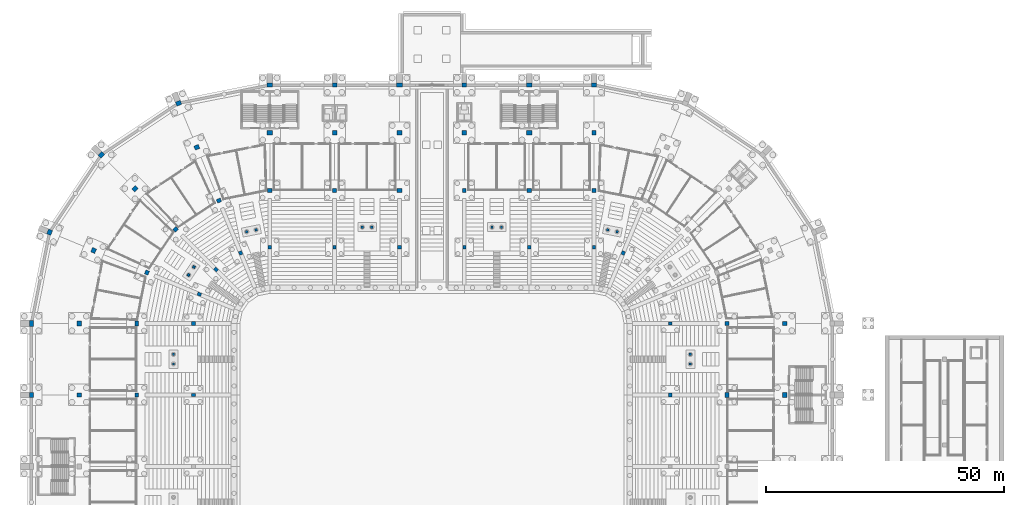
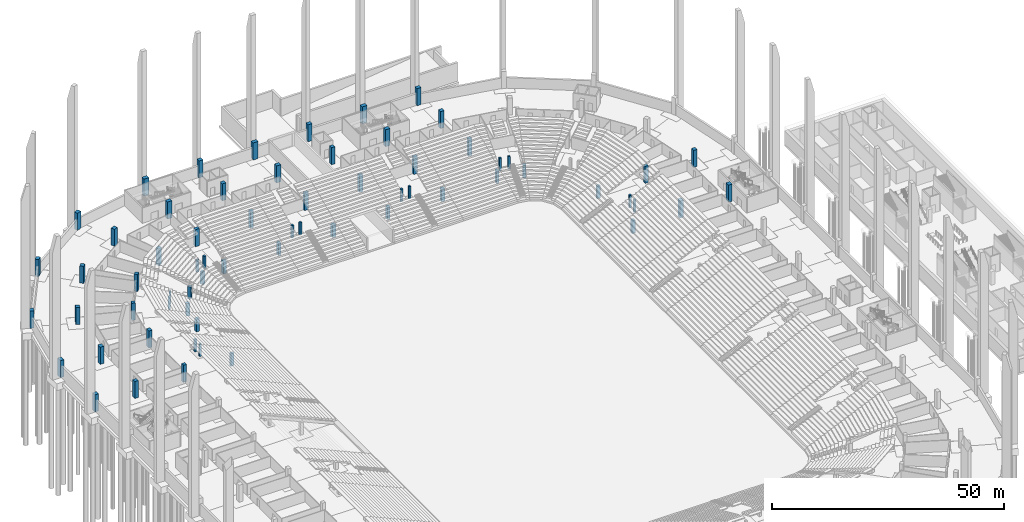
# One storey, part 12 of 115: 65 columns.
"""IFC4 building model written with IfcOpenShell, lengths in metres."""

import ifcopenshell
import ifcopenshell.guid

model = None  # the IFC model being written
_history = None  # IfcOwnerHistory: only IFC2X3 demands one
_inside = {}  # id of a spatial element -> (the spatial element, [elements in it])
_under = {}  # id of a project, library or spatial element -> (it, [spatial elements below it])
_declared = {}  # id of a project -> (the project, [libraries it declares])
_typed = {}  # id of a type object -> (the type object, [elements of that type])
_made_of = {}  # id of a material, layer set ... -> (it, [elements and type objects made of it])


def new_model(schema):
    """Start an empty IFC model of exactly this schema.

    Asked for "IFC4X3", IfcOpenShell would pick the latest addendum, in which some entities
    have other attributes; the version numbers below select the first issue.
    IFC2X3 requires an IfcOwnerHistory on every rooted entity: one is made here for all.
    """
    global model, _history
    if schema == "IFC4X3":
        model = ifcopenshell.file(schema_version=(4, 3, 0, 0))
    else:
        model = ifcopenshell.file(schema=schema)
    _inside.clear()
    _under.clear()
    _declared.clear()
    _typed.clear()
    _made_of.clear()
    _history = None
    if model.schema == "IFC2X3":
        org = make("IfcOrganization", Name="unknown")
        user = make(
            "IfcPersonAndOrganization",
            ThePerson=make("IfcPerson", FamilyName="unknown"),
            TheOrganization=org,
        )
        app = make(
            "IfcApplication",
            ApplicationDeveloper=org,
            Version="unknown",
            ApplicationFullName="unknown",
            ApplicationIdentifier="unknown",
        )
        _history = make(
            "IfcOwnerHistory",
            OwningUser=user,
            OwningApplication=app,
            ChangeAction="ADDED",
            CreationDate=0,
        )
    return model


def make(cls, **values):
    """One entity of the class cls with the attributes given. An attribute that is None is left unset."""
    return model.create_entity(
        cls, **{name: value for name, value in values.items() if value is not None}
    )


def rooted(cls, **values):
    """An entity with a GlobalId (a new one), such as an element, a storey or a relation."""
    return make(cls, GlobalId=ifcopenshell.guid.new(), OwnerHistory=_history, **values)


def si_unit(unit_type, name, prefix=None):
    """IfcSIUnit, for example si_unit("LENGTHUNIT", "METRE", prefix="MILLI")."""
    return make("IfcSIUnit", UnitType=unit_type, Prefix=prefix, Name=name)


def assignment(units):
    """IfcUnitAssignment: the units of a project."""
    return None if units is None else make("IfcUnitAssignment", Units=units)


def point(xyz):
    """IfcCartesianPoint."""
    return None if xyz is None else make("IfcCartesianPoint", Coordinates=xyz)


def direction(xyz):
    """IfcDirection."""
    return None if xyz is None else make("IfcDirection", DirectionRatios=xyz)


def frame(location, z_axis=None, x_axis=None):
    """IfcAxis2Placement3D, a coordinate frame: its origin and axes. An axis left out is left unset."""
    return make(
        "IfcAxis2Placement3D",
        Location=point(location),
        Axis=direction(z_axis),
        RefDirection=direction(x_axis),
    )


def frame_2d(location, x_axis=None):
    """IfcAxis2Placement2D, a coordinate frame in the plane: its origin and x axis."""
    return make(
        "IfcAxis2Placement2D", Location=point(location), RefDirection=direction(x_axis)
    )


def origin():
    """The frame at (0, 0, 0) with its axes left unset."""
    return frame((0.0, 0.0, 0.0))


def origin_2d():
    """The frame at (0, 0) in the plane with its x axis left unset."""
    return frame_2d((0.0, 0.0))


def place(relative_to, where):
    """IfcLocalPlacement: puts the frame where relative to a parent placement (None: the world)."""
    return make(
        "IfcLocalPlacement", PlacementRelTo=relative_to, RelativePlacement=where
    )


def context(
    kind, dimensions, precision=None, world=None, true_north=None, identifier=None
):
    """IfcGeometricRepresentationContext, for example the 3D "Model" context."""
    return make(
        "IfcGeometricRepresentationContext",
        ContextIdentifier=identifier,
        ContextType=kind,
        CoordinateSpaceDimension=dimensions,
        Precision=precision,
        WorldCoordinateSystem=world,
        TrueNorth=true_north,
    )


def subcontext(parent, identifier, kind, view, scale=None):
    """IfcGeometricRepresentationSubContext, for example "Body" below "Model"."""
    return make(
        "IfcGeometricRepresentationSubContext",
        ContextIdentifier=identifier,
        ContextType=kind,
        ParentContext=parent,
        TargetScale=scale,
        TargetView=view,
    )


def project(units=None, contexts=None):
    """IfcProject with its units and contexts."""
    return rooted(
        "IfcProject",
        Name="project",
        RepresentationContexts=contexts,
        UnitsInContext=assignment(units),
    )


def spatial(cls, under=None, at=None, **own):
    """A site, building, storey or space (cls), placed at a placement, below another one or the project."""
    s = rooted(cls, ObjectPlacement=at, **own)
    if under is not None:
        _under.setdefault(under.id(), (under, []))[1].append(s)
    return s


def profile(cls, at=None, kind="AREA", **sizes):
    """A parametric profile (cls). Its sizes go by their IFC names, for example OverallWidth=200.0."""
    return make(cls, ProfileType=kind, Position=at, **sizes)


def rectangle(**sizes):
    """IfcRectangleProfileDef."""
    return profile("IfcRectangleProfileDef", **sizes)


def extrude(swept, where, along, depth):
    """IfcExtrudedAreaSolid: the profile swept, set in the frame where, extruded along a direction by depth."""
    return make(
        "IfcExtrudedAreaSolid",
        SweptArea=swept,
        Position=where,
        ExtrudedDirection=direction(along),
        Depth=depth,
    )


def shape(context_of_items, identifier, shape_type, items):
    """IfcShapeRepresentation: the items that make up one representation, for example the "Body"."""
    return make(
        "IfcShapeRepresentation",
        ContextOfItems=context_of_items,
        RepresentationIdentifier=identifier,
        RepresentationType=shape_type,
        Items=items,
    )


def material(Name=None, Category=None):
    """IfcMaterial."""
    return make("IfcMaterial", Name=Name, Category=Category)


def material_profile(
    of_material, cross_section, Name=None, Category=None, Priority=None
):
    """IfcMaterialProfile: a cross section and its material."""
    return make(
        "IfcMaterialProfile",
        Name=Name,
        Material=of_material,
        Profile=cross_section,
        Priority=Priority,
        Category=Category,
    )


def profile_set(profiles, Name=None, composite=None):
    """IfcMaterialProfileSet."""
    return make(
        "IfcMaterialProfileSet",
        Name=Name,
        MaterialProfiles=profiles,
        CompositeProfile=composite,
    )


def made_of(thing, what):
    """Note that an element or type object is made of a material, layer set ...; save() writes the relation."""
    if what is not None:
        _made_of.setdefault(what.id(), (what, []))[1].append(thing)
    return thing


def type_object(cls, material=None, **own):
    """A type object (cls), such as IfcWallType, which elements share."""
    return made_of(rooted(cls, **own), material)


def element(
    cls,
    number,
    at=None,
    inside=None,
    cuts=None,
    type_object=None,
    material=None,
    context=None,
    identifier="Body",
    shape_type=None,
    held_by="IfcProductDefinitionShape",
    body=None,
    shapes=None,
    **own,
):
    """One element of the class cls, such as IfcWall. Its Tag is "e" and its number.

    at: its placement. inside: the storey or other place that contains it. cuts: it is an
    opening in that element (IfcRelVoidsElement). A single representation is given by context,
    identifier, shape_type and body (its items); several are given by shapes. held_by: the class
    of the entity that holds the representations. save() writes the other relations.
    """
    e = rooted(cls, Tag="e%d" % number, ObjectPlacement=at, **own)
    if body is not None:
        shapes = [shape(context, identifier, shape_type, body)]
    if shapes is not None:
        e.Representation = make(held_by, Representations=shapes)
    if inside is not None:
        _inside.setdefault(inside.id(), (inside, []))[1].append(e)
    if cuts is not None:
        rooted(
            "IfcRelVoidsElement", RelatingBuildingElement=cuts, RelatedOpeningElement=e
        )
    if type_object is not None:
        _typed.setdefault(type_object.id(), (type_object, []))[1].append(e)
    return made_of(e, material)


def aggregate(whole, parts):
    """IfcRelAggregates: a whole, such as a stair, and the parts it consists of."""
    return rooted("IfcRelAggregates", RelatingObject=whole, RelatedObjects=parts)


def save(model, path):
    """Write the relations noted so far, then the file.

    IfcRelAggregates (storeys below a building ...), IfcRelContainedInSpatialStructure (elements
    in a storey), IfcRelDefinesByType, IfcRelAssociatesMaterial and IfcRelDeclares: one each for
    every whole, place, type object, material and project.
    """
    for whole, parts in _under.values():
        aggregate(whole, parts)
    for where, things in _inside.values():
        rooted(
            "IfcRelContainedInSpatialStructure",
            RelatedElements=things,
            RelatingStructure=where,
        )
    for kind, things in _typed.values():
        rooted("IfcRelDefinesByType", RelatedObjects=things, RelatingType=kind)
    for what, things in _made_of.values():
        rooted("IfcRelAssociatesMaterial", RelatedObjects=things, RelatingMaterial=what)
    for by, libraries in _declared.values():
        rooted("IfcRelDeclares", RelatingContext=by, RelatedDefinitions=libraries)
    model.write(path)


model = new_model("IFC4")

# Units and contexts
model_context = context("Model", 3, precision=1e-05, world=origin(), true_north=direction((0.0, 1.0)))
body_context = subcontext(model_context, "Body", "Model", "MODEL_VIEW")
ifc_project = project(units=[si_unit("LENGTHUNIT", "METRE"), si_unit("AREAUNIT", "SQUARE_METRE"), si_unit("VOLUMEUNIT", "CUBIC_METRE"), si_unit("PLANEANGLEUNIT", "RADIAN"), si_unit("MASSUNIT", "GRAM", prefix="KILO")], contexts=[model_context])

# Site, building, storey
site_placement = place(None, origin())
site = spatial("IfcSite", under=ifc_project, at=site_placement, CompositionType="ELEMENT")
building_placement = place(site_placement, origin())
building = spatial("IfcBuilding", under=site, at=building_placement, Name="Ogive Plaza Stadium", CompositionType="ELEMENT")
storey_placement = place(building_placement, frame((0.0, 0.0, -4.5)))
storey = spatial("IfcBuildingStorey", under=building, at=storey_placement, Name="B1", CompositionType="ELEMENT", Elevation=-4.5)

# Columns
ifc_material_1 = material(Name="Concrete C40/50", Category="concrete")
ifc_material_profile_1 = material_profile(ifc_material_1, rectangle(XDim=0.800048828125, YDim=0.800048828125, at=origin_2d()), Name="RC 800x800")
ifc_profile_set_1 = profile_set([ifc_material_profile_1], Name="Concrete C40/50")
column_type_1 = type_object("IfcColumnType", Name="RC column F1 core 800x800", PredefinedType="COLUMN", material=ifc_profile_set_1)
for number, where, z_axis, x_axis, name in (
    (1, (50.0, 37.5, 0.0), (0.0, 0.0, 1.0), (0.0, 1.0, 0.0), "Column F1 R02 B1"),
    (2, (-50.0, 52.5, 0.0), (0.0, 0.0, 1.0), (0.0, -1.0, 0.0), "Column F1 R28 B1"),
    (3, (-34.0, 68.5, 0.0), (0.0, 0.0, 1.0), (-1.0, 0.0, 0.0), "Column F1 R32 B1"),
    (4, (-6.800048828125, 68.5, 0.0), (0.0, 0.0, 1.0), (-1.0, 0.0, 0.0), "Column F1 R34 B1"),
    (5, (20.39990234375, 68.5, 0.0), (0.0, 0.0, 1.0), (-1.0, 0.0, 0.0), "Column F1 R36 B1"),
):
    element("IfcColumn", number, at=place(storey_placement, frame(where, z_axis=z_axis, x_axis=x_axis)), inside=storey, type_object=column_type_1, Name=name, PredefinedType="COLUMN", context=body_context, shape_type="SweptSolid", body=[
        extrude(rectangle(XDim=0.800048828125, YDim=0.800048828125, at=origin_2d()), origin(), (0.0, 0.0, 1.0), 3.323486328125),
    ])
ifc_material_2 = material(Name="Concrete C40/50", Category="concrete")
ifc_material_profile_2 = material_profile(ifc_material_2, rectangle(XDim=0.699951171875, YDim=0.800048828125, at=origin_2d()), Name="RC 700x800")
ifc_profile_set_2 = profile_set([ifc_material_profile_2], Name="Concrete C40/50")
column_type_2 = type_object("IfcColumnType", Name="RC column F1 corner 700x800", PredefinedType="COLUMN", material=ifc_profile_set_2)
for number, where, z_axis, x_axis, name in (
    (6, (-48.781982421875, 58.623046875, 0.0), (0.0, 0.0, 1.0), (-0.382683432365, -0.923879532511, 0.0), "Column F1 R29 B1"),
    (7, (-45.313720703125, 63.813720703125, 0.0), (0.0, 0.0, 1.0), (-0.707106781187, -0.707106781187, 0.0), "Column F1 R30 B1"),
    (8, (-40.123046875, 67.281982421875, 0.0), (0.0, 0.0, 1.0), (-0.923879532511, -0.382683432365, 0.0), "Column F1 R31 B1"),
    (9, (40.123046875, 67.281982421875, 0.0), (0.0, 0.0, 1.0), (-0.923879532511, 0.382683432365, 0.0), "Column F1 R38 B1"),
):
    element("IfcColumn", number, at=place(storey_placement, frame(where, z_axis=z_axis, x_axis=x_axis)), inside=storey, type_object=column_type_2, Name=name, PredefinedType="COLUMN", context=body_context, shape_type="SweptSolid", body=[
        extrude(rectangle(XDim=0.699951171875, YDim=0.800048828125, at=origin_2d()), origin(), (0.0, 0.0, 1.0), 3.323486328125),
    ])
ifc_material_3 = material(Name="Concrete C40/50", Category="concrete")
ifc_material_profile_3 = material_profile(ifc_material_3, rectangle(XDim=0.60009765625, YDim=0.800048828125, at=origin_2d()), Name="RC 600x800")
ifc_profile_set_3 = profile_set([ifc_material_profile_3], Name="Concrete C40/50")
column_type_3 = type_object("IfcColumnType", Name="RC column F1 typical 600x800", PredefinedType="COLUMN", material=ifc_profile_set_3)
for number, where, z_axis, x_axis, name in (
    (10, (50.0, 52.5, 0.0), (0.0, 0.0, 1.0), (0.0, 1.0, 0.0), "Column F1 R01 B1"),
    (11, (-50.0, 37.5, 0.0), (0.0, 0.0, 1.0), (0.0, -1.0, 0.0), "Column F1 R27 B1"),
    (12, (-20.39990234375, 68.5, 0.0), (0.0, 0.0, 1.0), (-1.0, 0.0, 0.0), "Column F1 R33 B1"),
    (13, (6.800048828125, 68.5, 0.0), (0.0, 0.0, 1.0), (-1.0, 0.0, 0.0), "Column F1 R35 B1"),
    (14, (34.0, 68.5, 0.0), (0.0, 0.0, 1.0), (-1.0, 0.0, 0.0), "Column F1 R37 B1"),
):
    element("IfcColumn", number, at=place(storey_placement, frame(where, z_axis=z_axis, x_axis=x_axis)), inside=storey, type_object=column_type_3, Name=name, PredefinedType="COLUMN", context=body_context, shape_type="SweptSolid", body=[
        extrude(rectangle(XDim=0.60009765625, YDim=0.800048828125, at=origin_2d()), origin(), (0.0, 0.0, 1.0), 3.323486328125),
    ])
ifc_material_4 = material(Name="Concrete C40/50", Category="concrete")
ifc_material_profile_4 = material_profile(ifc_material_4, rectangle(XDim=1.0, YDim=0.800048828125, at=origin_2d()), Name="RC 1000x800")
ifc_profile_set_4 = profile_set([ifc_material_profile_4], Name="Concrete C40/50")
column_type_4 = type_object("IfcColumnType", Name="RC column F3 core 1000x800", PredefinedType="COLUMN", material=ifc_profile_set_4)
for number, where, z_axis, x_axis, name in (
    (15, (61.89990234375, 37.5, 0.0), (0.0, 0.0, 1.0), (0.0, 1.0, 0.0), "Column F3 R02 B1"),
    (16, (-61.89990234375, 52.5, 0.0), (0.0, 0.0, 1.0), (0.0, -1.0, 0.0), "Column F3 R28 B1"),
    (17, (-34.0, 80.39990234375, 0.0), (0.0, 0.0, 1.0), (-1.0, 0.0, 0.0), "Column F3 R32 B1"),
    (18, (-6.800048828125, 80.39990234375, 0.0), (0.0, 0.0, 1.0), (-1.0, 0.0, 0.0), "Column F3 R34 B1"),
    (19, (20.39990234375, 80.39990234375, 0.0), (0.0, 0.0, 1.0), (-1.0, 0.0, 0.0), "Column F3 R36 B1"),
):
    element("IfcColumn", number, at=place(storey_placement, frame(where, z_axis=z_axis, x_axis=x_axis)), inside=storey, type_object=column_type_4, Name=name, PredefinedType="COLUMN", context=body_context, shape_type="SweptSolid", body=[
        extrude(rectangle(XDim=1.0, YDim=0.800048828125, at=origin_2d()), origin(), (0.0, 0.0, 1.0), 4.5),
    ])
ifc_material_5 = material(Name="Concrete C40/50", Category="concrete")
ifc_material_profile_5 = material_profile(ifc_material_5, rectangle(XDim=0.89990234375, YDim=0.800048828125, at=origin_2d()), Name="RC 900x800")
ifc_profile_set_5 = profile_set([ifc_material_profile_5], Name="Concrete C40/50")
column_type_5 = type_object("IfcColumnType", Name="RC column F3 corner 900x800", PredefinedType="COLUMN", material=ifc_profile_set_5)
for number, where, z_axis, x_axis, name in (
    (20, (-59.776123046875, 63.1767578125, 0.0), (0.0, 0.0, 1.0), (-0.382683432365, -0.923879532511, 0.0), "Column F3 R29 B1"),
    (21, (-53.728271484375, 72.228271484375, 0.0), (0.0, 0.0, 1.0), (-0.707106781187, -0.707106781187, 0.0), "Column F3 R30 B1"),
    (22, (-44.6767578125, 78.276123046875, 0.0), (0.0, 0.0, 1.0), (-0.923879532511, -0.382683432365, 0.0), "Column F3 R31 B1"),
):
    element("IfcColumn", number, at=place(storey_placement, frame(where, z_axis=z_axis, x_axis=x_axis)), inside=storey, type_object=column_type_5, Name=name, PredefinedType="COLUMN", context=body_context, shape_type="SweptSolid", body=[
        extrude(rectangle(XDim=0.89990234375, YDim=0.800048828125, at=origin_2d()), origin(), (0.0, 0.0, 1.0), 4.5),
    ])
ifc_material_6 = material(Name="Concrete C40/50", Category="concrete")
ifc_material_profile_6 = material_profile(ifc_material_6, rectangle(XDim=0.800048828125, YDim=0.800048828125, at=origin_2d()), Name="RC 800x800")
ifc_profile_set_6 = profile_set([ifc_material_profile_6], Name="Concrete C40/50")
column_type_6 = type_object("IfcColumnType", Name="RC column F3 typical 800x800", PredefinedType="COLUMN", material=ifc_profile_set_6)
for number, where, z_axis, x_axis, name in (
    (23, (61.89990234375, 52.5, 0.0), (0.0, 0.0, 1.0), (0.0, 1.0, 0.0), "Column F3 R01 B1"),
    (24, (-61.89990234375, 37.5, 0.0), (0.0, 0.0, 1.0), (0.0, -1.0, 0.0), "Column F3 R27 B1"),
    (25, (-20.39990234375, 80.39990234375, 0.0), (0.0, 0.0, 1.0), (-1.0, 0.0, 0.0), "Column F3 R33 B1"),
    (26, (6.800048828125, 80.39990234375, 0.0), (0.0, 0.0, 1.0), (-1.0, 0.0, 0.0), "Column F3 R35 B1"),
    (27, (34.0, 80.39990234375, 0.0), (0.0, 0.0, 1.0), (-1.0, 0.0, 0.0), "Column F3 R37 B1"),
):
    element("IfcColumn", number, at=place(storey_placement, frame(where, z_axis=z_axis, x_axis=x_axis)), inside=storey, type_object=column_type_6, Name=name, PredefinedType="COLUMN", context=body_context, shape_type="SweptSolid", body=[
        extrude(rectangle(XDim=0.800048828125, YDim=0.800048828125, at=origin_2d()), origin(), (0.0, 0.0, 1.0), 4.5),
    ])
ifc_material_7 = material(Name="Concrete C40/50", Category="concrete")
ifc_material_profile_7 = material_profile(ifc_material_7, rectangle(XDim=1.10009765625, YDim=0.89990234375, at=origin_2d()), Name="RC 1100x900")
ifc_profile_set_7 = profile_set([ifc_material_profile_7], Name="Concrete C40/50")
column_type_7 = type_object("IfcColumnType", Name="RC column F4 core 1100x900", PredefinedType="COLUMN", material=ifc_profile_set_7)
for number, where, z_axis, x_axis, name in (
    (28, (74.0, 37.5, 0.0), (0.0, 0.0, 1.0), (0.0, 1.0, 0.0), "Column F4 R02 B1"),
    (29, (-74.0, 52.5, 0.0), (0.0, 0.0, 1.0), (0.0, -1.0, 0.0), "Column F4 R28 B1"),
    (30, (-34.0, 92.5, 0.0), (0.0, 0.0, 1.0), (-1.0, 0.0, 0.0), "Column F4 R32 B1"),
    (31, (-6.800048828125, 92.5, 0.0), (0.0, 0.0, 1.0), (-1.0, 0.0, 0.0), "Column F4 R34 B1"),
    (32, (20.39990234375, 92.5, 0.0), (0.0, 0.0, 1.0), (-1.0, 0.0, 0.0), "Column F4 R36 B1"),
):
    element("IfcColumn", number, at=place(storey_placement, frame(where, z_axis=z_axis, x_axis=x_axis)), inside=storey, type_object=column_type_7, Name=name, PredefinedType="COLUMN", context=body_context, shape_type="SweptSolid", body=[
        extrude(rectangle(XDim=1.10009765625, YDim=0.89990234375, at=origin_2d()), origin(), (0.0, 0.0, 1.0), 4.5),
    ])
ifc_material_8 = material(Name="Concrete C40/50", Category="concrete")
ifc_material_profile_8 = material_profile(ifc_material_8, rectangle(XDim=1.0, YDim=0.89990234375, at=origin_2d()), Name="RC 1000x900")
ifc_profile_set_8 = profile_set([ifc_material_profile_8], Name="Concrete C40/50")
column_type_8 = type_object("IfcColumnType", Name="RC column F4 corner 1000x900", PredefinedType="COLUMN", material=ifc_profile_set_8)
for number, where, z_axis, x_axis, name in (
    (33, (-70.955078125, 67.807373046875, 0.0), (0.0, 0.0, 1.0), (-0.382683432365, -0.923879532511, 0.0), "Column F4 R29 B1"),
    (34, (-62.2841796875, 80.7841796875, 0.0), (0.0, 0.0, 1.0), (-0.707106781187, -0.707106781187, 0.0), "Column F4 R30 B1"),
    (35, (-49.307373046875, 89.455078125, 0.0), (0.0, 0.0, 1.0), (-0.923879532511, -0.382683432365, 0.0), "Column F4 R31 B1"),
):
    element("IfcColumn", number, at=place(storey_placement, frame(where, z_axis=z_axis, x_axis=x_axis)), inside=storey, type_object=column_type_8, Name=name, PredefinedType="COLUMN", context=body_context, shape_type="SweptSolid", body=[
        extrude(rectangle(XDim=1.0, YDim=0.89990234375, at=origin_2d()), origin(), (0.0, 0.0, 1.0), 4.5),
    ])
ifc_material_9 = material(Name="Concrete C40/50", Category="concrete")
ifc_material_profile_9 = material_profile(ifc_material_9, rectangle(XDim=0.89990234375, YDim=0.89990234375, at=origin_2d()), Name="RC 900x900")
ifc_profile_set_9 = profile_set([ifc_material_profile_9], Name="Concrete C40/50")
column_type_9 = type_object("IfcColumnType", Name="RC column F4 typical 900x900", PredefinedType="COLUMN", material=ifc_profile_set_9)
for number, where, z_axis, x_axis, name in (
    (36, (74.0, 52.5, 0.0), (0.0, 0.0, 1.0), (0.0, 1.0, 0.0), "Column F4 R01 B1"),
    (37, (-74.0, 37.5, 0.0), (0.0, 0.0, 1.0), (0.0, -1.0, 0.0), "Column F4 R27 B1"),
    (38, (-20.39990234375, 92.5, 0.0), (0.0, 0.0, 1.0), (-1.0, 0.0, 0.0), "Column F4 R33 B1"),
    (39, (6.800048828125, 92.5, 0.0), (0.0, 0.0, 1.0), (-1.0, 0.0, 0.0), "Column F4 R35 B1"),
    (40, (34.0, 92.5, 0.0), (0.0, 0.0, 1.0), (-1.0, 0.0, 0.0), "Column F4 R37 B1"),
):
    element("IfcColumn", number, at=place(storey_placement, frame(where, z_axis=z_axis, x_axis=x_axis)), inside=storey, type_object=column_type_9, Name=name, PredefinedType="COLUMN", context=body_context, shape_type="SweptSolid", body=[
        extrude(rectangle(XDim=0.89990234375, YDim=0.89990234375, at=origin_2d()), origin(), (0.0, 0.0, 1.0), 4.5),
    ])
ifc_material_10 = material(Name="Concrete C40/50", Category="concrete")
ifc_material_profile_10 = material_profile(ifc_material_10, rectangle(XDim=1.199951171875, YDim=0.89990234375, at=origin_2d()), Name="RC 1200x900")
ifc_profile_set_10 = profile_set([ifc_material_profile_10], Name="Concrete C40/50")
column_type_10 = type_object("IfcColumnType", Name="RC column F5 core 1200x900", PredefinedType="COLUMN", material=ifc_profile_set_10)
for number, where, z_axis, x_axis, name in (
    (41, (-84.0, 52.5, 0.0), (0.0, 0.0, 1.0), (0.0, -1.0, 0.0), "Column F5 R28 B1"),
    (42, (-34.0, 102.5, 0.0), (0.0, 0.0, 1.0), (-1.0, 0.0, 0.0), "Column F5 R32 B1"),
    (43, (-6.800048828125, 102.5, 0.0), (0.0, 0.0, 1.0), (-1.0, 0.0, 0.0), "Column F5 R34 B1"),
    (44, (20.39990234375, 102.5, 0.0), (0.0, 0.0, 1.0), (-1.0, 0.0, 0.0), "Column F5 R36 B1"),
):
    element("IfcColumn", number, at=place(storey_placement, frame(where, z_axis=z_axis, x_axis=x_axis)), inside=storey, type_object=column_type_10, Name=name, PredefinedType="COLUMN", context=body_context, shape_type="SweptSolid", body=[
        extrude(rectangle(XDim=1.199951171875, YDim=0.89990234375, at=origin_2d()), origin(), (0.0, 0.0, 1.0), 4.5),
    ])
ifc_material_11 = material(Name="Concrete C40/50", Category="concrete")
ifc_material_profile_11 = material_profile(ifc_material_11, rectangle(XDim=1.10009765625, YDim=0.89990234375, at=origin_2d()), Name="RC 1100x900")
ifc_profile_set_11 = profile_set([ifc_material_profile_11], Name="Concrete C40/50")
column_type_11 = type_object("IfcColumnType", Name="RC column F5 corner 1100x900", PredefinedType="COLUMN", material=ifc_profile_set_11)
for number, where, z_axis, x_axis, name in (
    (45, (-80.194091796875, 71.63427734375, 0.0), (0.0, 0.0, 1.0), (-0.382683432365, -0.923879532511, 0.0), "Column F5 R29 B1"),
    (46, (-69.355224609375, 87.855224609375, 0.0), (0.0, 0.0, 1.0), (-0.707106781187, -0.707106781187, 0.0), "Column F5 R30 B1"),
    (47, (-53.13427734375, 98.694091796875, 0.0), (0.0, 0.0, 1.0), (-0.923879532511, -0.382683432365, 0.0), "Column F5 R31 B1"),
):
    element("IfcColumn", number, at=place(storey_placement, frame(where, z_axis=z_axis, x_axis=x_axis)), inside=storey, type_object=column_type_11, Name=name, PredefinedType="COLUMN", context=body_context, shape_type="SweptSolid", body=[
        extrude(rectangle(XDim=1.10009765625, YDim=0.89990234375, at=origin_2d()), origin(), (0.0, 0.0, 1.0), 4.5),
    ])
ifc_material_12 = material(Name="Concrete C40/50", Category="concrete")
ifc_material_profile_12 = material_profile(ifc_material_12, rectangle(XDim=1.0, YDim=0.89990234375, at=origin_2d()), Name="RC 1000x900")
ifc_profile_set_12 = profile_set([ifc_material_profile_12], Name="Concrete C40/50")
column_type_12 = type_object("IfcColumnType", Name="RC column F5 typical 1000x900", PredefinedType="COLUMN", material=ifc_profile_set_12)
for number, where, z_axis, x_axis, name in (
    (48, (-84.0, 37.5, 0.0), (0.0, 0.0, 1.0), (0.0, -1.0, 0.0), "Column F5 R27 B1"),
    (49, (-20.39990234375, 102.5, 0.0), (0.0, 0.0, 1.0), (-1.0, 0.0, 0.0), "Column F5 R33 B1"),
    (50, (6.800048828125, 102.5, 0.0), (0.0, 0.0, 1.0), (-1.0, 0.0, 0.0), "Column F5 R35 B1"),
    (51, (34.0, 102.5, 0.0), (0.0, 0.0, 1.0), (-1.0, 0.0, 0.0), "Column F5 R37 B1"),
):
    element("IfcColumn", number, at=place(storey_placement, frame(where, z_axis=z_axis, x_axis=x_axis)), inside=storey, type_object=column_type_12, Name=name, PredefinedType="COLUMN", context=body_context, shape_type="SweptSolid", body=[
        extrude(rectangle(XDim=1.0, YDim=0.89990234375, at=origin_2d()), origin(), (0.0, 0.0, 1.0), 4.5),
    ])
ifc_material_13 = material(Name="Concrete C40/50", Category="concrete")
ifc_material_profile_13 = material_profile(ifc_material_13, rectangle(XDim=0.5, YDim=0.5, at=origin_2d()), Name="RC 500x500")
ifc_profile_set_13 = profile_set([ifc_material_profile_13], Name="Concrete C40/50")
column_type_13 = type_object("IfcColumnType", Name="RC column vomitory 500x500", PredefinedType="COLUMN", material=ifc_profile_set_13)
for number, where, z_axis, x_axis, name in (
    (52, (54.199951171875, 44.0, 0.0), (0.0, 0.0, 1.0), (0.0, 1.0, 0.0), "Column F1V B01 1"),
    (53, (54.199951171875, 46.0, 0.0), (0.0, 0.0, 1.0), (0.0, 1.0, 0.0), "Column F1V B01 2"),
    (54, (-54.199951171875, 46.0, 0.0), (0.0, 0.0, 1.0), (0.0, -1.0, 0.0), "Column F1V B27 1"),
    (55, (-54.199951171875, 44.0, 0.0), (0.0, 0.0, 1.0), (0.0, -1.0, 0.0), "Column F1V B27 2"),
    (56, (-49.91748046875, 64.33837890625, 0.0), (0.0, 0.0, 1.0), (-0.55557023302, -0.831469612303, 0.0), "Column F1V B29 1"),
    (57, (-51.028564453125, 62.67529296875, 0.0), (0.0, 0.0, 1.0), (-0.55557023302, -0.831469612303, 0.0), "Column F1V B29 2"),
    (58, (-36.88427734375, 72.126220703125, 0.0), (0.0, 0.0, 1.0), (-0.980785280403, -0.195090322016, 0.0), "Column F1V B31 1"),
    (59, (-38.845947265625, 71.736083984375, 0.0), (0.0, 0.0, 1.0), (-0.980785280403, -0.195090322016, 0.0), "Column F1V B31 2"),
    (60, (-12.60009765625, 72.699951171875, 0.0), (0.0, 0.0, 1.0), (-1.0, 0.0, 0.0), "Column F1V B33 1"),
    (61, (-14.60009765625, 72.699951171875, 0.0), (0.0, 0.0, 1.0), (-1.0, 0.0, 0.0), "Column F1V B33 2"),
    (62, (14.60009765625, 72.699951171875, 0.0), (0.0, 0.0, 1.0), (-1.0, 0.0, 0.0), "Column F1V B35 1"),
    (63, (12.60009765625, 72.699951171875, 0.0), (0.0, 0.0, 1.0), (-1.0, 0.0, 0.0), "Column F1V B35 2"),
    (64, (38.845947265625, 71.736083984375, 0.0), (0.0, 0.0, 1.0), (-0.980785280403, 0.195090322016, 0.0), "Column F1V B37 1"),
    (65, (36.88427734375, 72.126220703125, 0.0), (0.0, 0.0, 1.0), (-0.980785280403, 0.195090322016, 0.0), "Column F1V B37 2"),
):
    element("IfcColumn", number, at=place(storey_placement, frame(where, z_axis=z_axis, x_axis=x_axis)), inside=storey, type_object=column_type_13, Name=name, PredefinedType="COLUMN", context=body_context, shape_type="SweptSolid", body=[
        extrude(rectangle(XDim=0.5, YDim=0.5, at=origin_2d()), origin(), (0.0, 0.0, 1.0), 3.2900390625),
    ])

save(model, "model.ifc")
